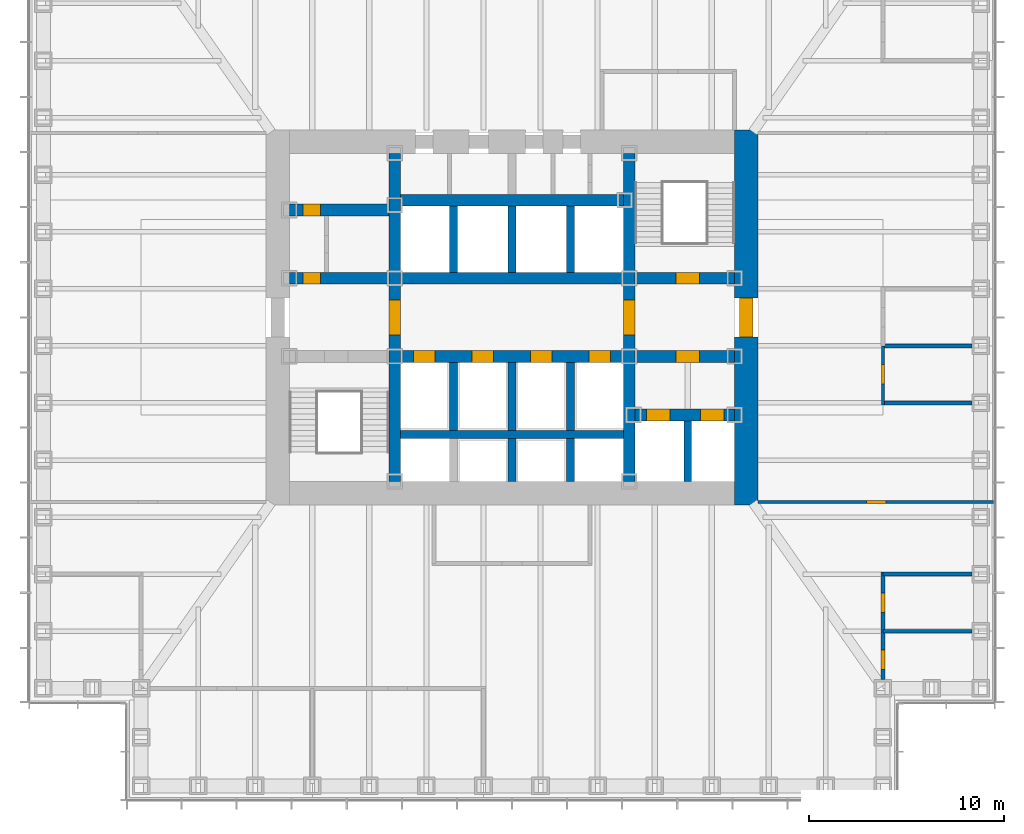
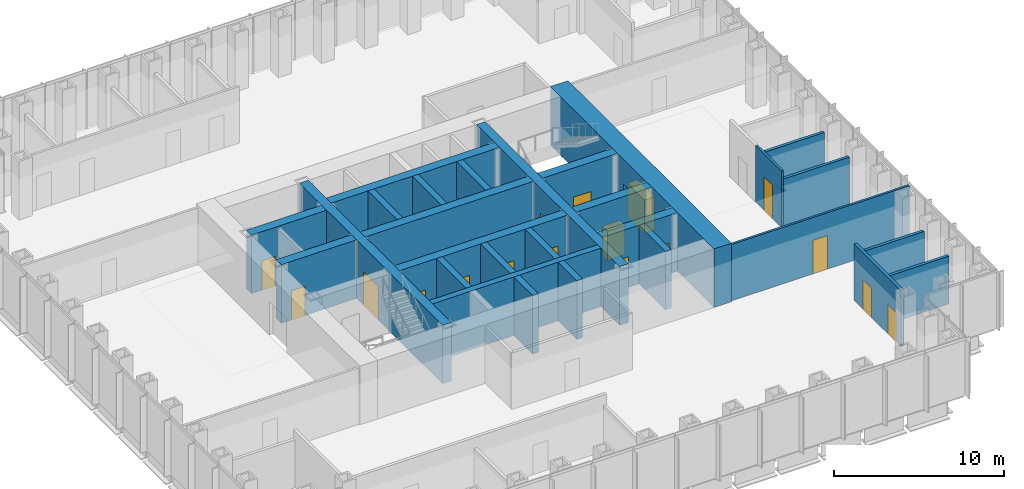
# One storey, part 9 of 16: 28 walls, 17 doors, 17 openings.
"""IFC4 building model written with IfcOpenShell, lengths in metres."""

from ifc_helpers import new_model, si_unit, direction, frame, frame_2d, origin, place, context, subcontext, project, spatial, rectangle, extrude, material, layer, layer_set, type_object, element, fill, save


model = new_model("IFC4")

# Units and contexts
model_context = context("Model", 3, precision=1e-05, world=origin(), true_north=direction((0.0, 1.0)))
body_context = subcontext(model_context, "Body", "Model", "MODEL_VIEW")
ifc_project = project(units=[si_unit("LENGTHUNIT", "METRE"), si_unit("AREAUNIT", "SQUARE_METRE"), si_unit("VOLUMEUNIT", "CUBIC_METRE"), si_unit("PLANEANGLEUNIT", "RADIAN"), si_unit("MASSUNIT", "GRAM", prefix="KILO")], contexts=[model_context])

# Site, building, storey
site_placement = place(None, origin())
site = spatial("IfcSite", under=ifc_project, at=site_placement, CompositionType="ELEMENT")
building_placement = place(site_placement, origin())
building = spatial("IfcBuilding", under=site, at=building_placement, Name="Daluyong Arena Tower", CompositionType="ELEMENT")
storey_placement = place(building_placement, frame((0.0, 0.0, 64.300048828125)))
storey = spatial("IfcBuildingStorey", under=building, at=storey_placement, Name="L13", CompositionType="ELEMENT", Elevation=64.300048828125)

# Wall, opening, door
ifc_material_1 = material(Name="Concrete fc' 60 MPa", Category="concrete")
ifc_layer_1 = layer(ifc_material_1, 0.60009765625)
ifc_layer_set_1 = layer_set([ifc_layer_1], Name="Concrete fc' 60 MPa")
wall_type_1 = type_object("IfcWallType", Name="Core inner wall 600", PredefinedType="SHEAR", material=ifc_layer_set_1)
wall_1_placement = place(storey_placement, frame((50.0, 71.60009765625, 0.0), z_axis=(0.0, 0.0, 1.0), x_axis=(0.0, 1.0, 0.0)))
wall_1 = element("IfcWall", 1, at=wall_1_placement, inside=storey, type_object=wall_type_1, Name="core inner wall at L13", PredefinedType="SHEAR", context=body_context, shape_type="SweptSolid", body=[
    extrude(rectangle(XDim=16.7998046875, YDim=0.60009765625, at=frame_2d((8.39990234375, 0.0))), origin(), (0.0, 0.0, 1.0), 4.199951171875),
])
opening_1_placement = place(wall_1_placement, frame((7.5, 0.0, 0.0)))
opening_1 = element("IfcOpeningElement", 2, at=opening_1_placement, cuts=wall_1, Name="Opening 13013", PredefinedType="OPENING", context=body_context, shape_type="SweptSolid", body=[
    extrude(rectangle(XDim=1.800048828125, YDim=2.39990234375, at=frame_2d((0.89990234375, 1.199951171875))), frame((0.0, 0.31005859375, 0.0), z_axis=(0.0, -1.0, 0.0), x_axis=(1.0, 0.0, 0.0)), (0.0, 0.0, 1.0), 0.6201171875),
])
ifc_material_2 = material(Name="Steel door, fire rated", Category="steel")
door_type_1 = type_object("IfcDoorType", Name="Lift lobby opening door 1800", OperationType="DOUBLE_DOOR_SINGLE_SWING", PredefinedType="DOOR", material=ifc_material_2)
door_1_placement = place(opening_1_placement, origin())
door_1 = element("IfcDoor", 3, at=door_1_placement, inside=storey, type_object=door_type_1, Name="lift lobby door west 13013", OperationType="DOUBLE_DOOR_SINGLE_SWING", OverallHeight=2.39990234375, OverallWidth=1.800048828125, PredefinedType="DOOR", context=body_context, shape_type="SweptSolid", body=[
    extrude(rectangle(XDim=1.800048828125, YDim=2.39990234375, at=frame_2d((0.89990234375, 1.199951171875))), frame((0.0, 0.2998046875, 0.0), z_axis=(0.0, -1.0, 0.0), x_axis=(1.0, 0.0, 0.0)), (0.0, 0.0, 1.0), 0.599609375),
])
fill(opening_1, door_1)

wall_2_placement = place(storey_placement, frame((62.0, 71.60009765625, 0.0), z_axis=(0.0, 0.0, 1.0), x_axis=(0.0, 1.0, 0.0)))
wall_2 = element("IfcWall", 4, at=wall_2_placement, inside=storey, type_object=wall_type_1, Name="core inner wall at L13", PredefinedType="SHEAR", context=body_context, shape_type="SweptSolid", body=[
    extrude(rectangle(XDim=16.7998046875, YDim=0.60009765625, at=frame_2d((8.39990234375, 0.0))), origin(), (0.0, 0.0, 1.0), 4.199951171875),
])
opening_2_placement = place(wall_2_placement, frame((7.5, 0.0, 0.0)))
opening_2 = element("IfcOpeningElement", 5, at=opening_2_placement, cuts=wall_2, Name="Opening 13014", PredefinedType="OPENING", context=body_context, shape_type="SweptSolid", body=[
    extrude(rectangle(XDim=1.800048828125, YDim=2.39990234375, at=frame_2d((0.89990234375, 1.199951171875))), frame((0.0, 0.31005859375, 0.0), z_axis=(0.0, -1.0, 0.0), x_axis=(1.0, 0.0, 0.0)), (0.0, 0.0, 1.0), 0.6201171875),
])
door_2_placement = place(opening_2_placement, origin())
door_2 = element("IfcDoor", 6, at=door_2_placement, inside=storey, type_object=door_type_1, Name="lift lobby door east 13014", OperationType="DOUBLE_DOOR_SINGLE_SWING", OverallHeight=2.39990234375, OverallWidth=1.800048828125, PredefinedType="DOOR", context=body_context, shape_type="SweptSolid", body=[
    extrude(rectangle(XDim=1.800048828125, YDim=2.39990234375, at=frame_2d((0.89990234375, 1.199951171875))), frame((0.0, 0.2998046875, 0.0), z_axis=(0.0, -1.0, 0.0), x_axis=(1.0, 0.0, 0.0)), (0.0, 0.0, 1.0), 0.599609375),
])
fill(opening_2, door_2)

wall_3_placement = place(storey_placement, frame((44.60009765625, 82.0, 0.0), z_axis=(0.0, 0.0, 1.0), x_axis=(1.0, 0.0, 0.0)))
wall_3 = element("IfcWall", 7, at=wall_3_placement, inside=storey, type_object=wall_type_1, Name="core inner wall at L13", PredefinedType="SHEAR", context=body_context, shape_type="SweptSolid", body=[
    extrude(rectangle(XDim=5.099853515625, YDim=0.60009765625, at=frame_2d((2.5498046875, 0.0))), origin(), (0.0, 0.0, 1.0), 4.199951171875),
])
opening_3_placement = place(wall_3_placement, frame((0.699951171875, 0.0, 0.0)))
opening_3 = element("IfcOpeningElement", 8, at=opening_3_placement, cuts=wall_3, Name="Opening 13001", PredefinedType="OPENING", context=body_context, shape_type="SweptSolid", body=[
    extrude(rectangle(XDim=0.89990234375, YDim=2.10009765625, at=frame_2d((0.449951171875, 1.050048828125))), frame((0.0, 0.31005859375, 0.0), z_axis=(0.0, -1.0, 0.0), x_axis=(1.0, 0.0, 0.0)), (0.0, 0.0, 1.0), 0.6201171875),
])
ifc_material_3 = material(Name="Steel door, fire rated", Category="steel")
door_type_2 = type_object("IfcDoorType", Name="Core room door 900", OperationType="SINGLE_SWING_LEFT", PredefinedType="DOOR", material=ifc_material_3)
door_3_placement = place(opening_3_placement, origin())
door_3 = element("IfcDoor", 9, at=door_3_placement, inside=storey, type_object=door_type_2, Name="toilet lobby door 13001", OperationType="SINGLE_SWING_LEFT", OverallHeight=2.10009765625, OverallWidth=0.89990234375, PredefinedType="DOOR", context=body_context, shape_type="SweptSolid", body=[
    extrude(rectangle(XDim=0.89990234375, YDim=2.10009765625, at=frame_2d((0.449951171875, 1.050048828125))), frame((0.0, 0.2998046875, 0.0), z_axis=(0.0, -1.0, 0.0), x_axis=(1.0, 0.0, 0.0)), (0.0, 0.0, 1.0), 0.599609375),
])
fill(opening_3, door_3)

wall_4_placement = place(storey_placement, frame((44.60009765625, 85.5, 0.0), z_axis=(0.0, 0.0, 1.0), x_axis=(1.0, 0.0, 0.0)))
wall_4 = element("IfcWall", 10, at=wall_4_placement, inside=storey, type_object=wall_type_1, Name="core inner wall at L13", PredefinedType="SHEAR", context=body_context, shape_type="SweptSolid", body=[
    extrude(rectangle(XDim=5.099853515625, YDim=0.60009765625, at=frame_2d((2.5498046875, 0.0))), origin(), (0.0, 0.0, 1.0), 4.199951171875),
])
opening_4_placement = place(wall_4_placement, frame((0.699951171875, 0.0, 0.0)))
opening_4 = element("IfcOpeningElement", 11, at=opening_4_placement, cuts=wall_4, Name="Opening 13003", PredefinedType="OPENING", context=body_context, shape_type="SweptSolid", body=[
    extrude(rectangle(XDim=0.89990234375, YDim=2.10009765625, at=frame_2d((0.449951171875, 1.050048828125))), frame((0.0, 0.31005859375, 0.0), z_axis=(0.0, -1.0, 0.0), x_axis=(1.0, 0.0, 0.0)), (0.0, 0.0, 1.0), 0.6201171875),
])
ifc_material_4 = material(Name="Timber door", Category="wood")
door_type_3 = type_object("IfcDoorType", Name="Toilet door 900", OperationType="SINGLE_SWING_RIGHT", PredefinedType="DOOR", material=ifc_material_4)
door_4_placement = place(opening_4_placement, origin())
door_4 = element("IfcDoor", 12, at=door_4_placement, inside=storey, type_object=door_type_3, Name="female toilet door 13003", OperationType="SINGLE_SWING_RIGHT", OverallHeight=2.10009765625, OverallWidth=0.89990234375, PredefinedType="DOOR", context=body_context, shape_type="SweptSolid", body=[
    extrude(rectangle(XDim=0.89990234375, YDim=2.10009765625, at=frame_2d((0.449951171875, 1.050048828125))), frame((0.0, 0.2998046875, 0.0), z_axis=(0.0, -1.0, 0.0), x_axis=(1.0, 0.0, 0.0)), (0.0, 0.0, 1.0), 0.599609375),
])
fill(opening_4, door_4)

# Wall, openings, doors
wall_5_placement = place(storey_placement, frame((62.300048828125, 75.0, 0.0), z_axis=(0.0, 0.0, 1.0), x_axis=(1.0, 0.0, 0.0)))
wall_5 = element("IfcWall", 13, at=wall_5_placement, inside=storey, type_object=wall_type_1, Name="core inner wall at L13", PredefinedType="SHEAR", context=body_context, shape_type="SweptSolid", body=[
    extrude(rectangle(XDim=5.099853515625, YDim=0.60009765625, at=frame_2d((2.5498046875, 0.0))), origin(), (0.0, 0.0, 1.0), 4.199951171875),
])
opening_5_placement = place(wall_5_placement, frame((0.60009765625, 0.0, 0.0)))
opening_5 = element("IfcOpeningElement", 14, at=opening_5_placement, cuts=wall_5, Name="Opening 13020", PredefinedType="OPENING", context=body_context, shape_type="SweptSolid", body=[
    extrude(rectangle(XDim=1.199951171875, YDim=2.199951171875, at=frame_2d((0.60009765625, 1.10009765625))), frame((0.0, 0.31005859375, 0.0), z_axis=(0.0, -1.0, 0.0), x_axis=(1.0, 0.0, 0.0)), (0.0, 0.0, 1.0), 0.6201171875),
])
opening_6_placement = place(wall_5_placement, frame((3.35009765625, 0.0, 0.0)))
opening_6 = element("IfcOpeningElement", 15, at=opening_6_placement, cuts=wall_5, Name="Opening 13021", PredefinedType="OPENING", context=body_context, shape_type="SweptSolid", body=[
    extrude(rectangle(XDim=1.199951171875, YDim=2.199951171875, at=frame_2d((0.60009765625, 1.10009765625))), frame((0.0, 0.31005859375, 0.0), z_axis=(0.0, -1.0, 0.0), x_axis=(1.0, 0.0, 0.0)), (0.0, 0.0, 1.0), 0.6201171875),
])
ifc_material_5 = material(Name="Steel door, fire rated", Category="steel")
door_type_4 = type_object("IfcDoorType", Name="Firefighting lift landing door 1200", OperationType="SLIDING_TO_LEFT", PredefinedType="DOOR", material=ifc_material_5)
door_5_placement = place(opening_5_placement, origin())
door_5 = element("IfcDoor", 16, at=door_5_placement, inside=storey, type_object=door_type_4, Name="firefighting lift landing door F1 13020", OperationType="SLIDING_TO_LEFT", OverallHeight=2.199951171875, OverallWidth=1.199951171875, PredefinedType="DOOR", context=body_context, shape_type="SweptSolid", body=[
    extrude(rectangle(XDim=1.199951171875, YDim=2.199951171875, at=frame_2d((0.60009765625, 1.10009765625))), frame((0.0, 0.2998046875, 0.0), z_axis=(0.0, -1.0, 0.0), x_axis=(1.0, 0.0, 0.0)), (0.0, 0.0, 1.0), 0.599609375),
])
fill(opening_5, door_5)
door_6_placement = place(opening_6_placement, origin())
door_6 = element("IfcDoor", 17, at=door_6_placement, inside=storey, type_object=door_type_4, Name="firefighting lift landing door F2 13021", OperationType="SLIDING_TO_LEFT", OverallHeight=2.199951171875, OverallWidth=1.199951171875, PredefinedType="DOOR", context=body_context, shape_type="SweptSolid", body=[
    extrude(rectangle(XDim=1.199951171875, YDim=2.199951171875, at=frame_2d((0.60009765625, 1.10009765625))), frame((0.0, 0.2998046875, 0.0), z_axis=(0.0, -1.0, 0.0), x_axis=(1.0, 0.0, 0.0)), (0.0, 0.0, 1.0), 0.599609375),
])
fill(opening_6, door_6)

# Wall, opening, door
wall_6_placement = place(storey_placement, frame((62.300048828125, 78.0, 0.0), z_axis=(0.0, 0.0, 1.0), x_axis=(1.0, 0.0, 0.0)))
wall_6 = element("IfcWall", 18, at=wall_6_placement, inside=storey, type_object=wall_type_1, Name="core inner wall at L13", PredefinedType="SHEAR", context=body_context, shape_type="SweptSolid", body=[
    extrude(rectangle(XDim=5.099853515625, YDim=0.60009765625, at=frame_2d((2.5498046875, 0.0))), origin(), (0.0, 0.0, 1.0), 4.199951171875),
])
opening_7_placement = place(wall_6_placement, frame((2.10009765625, 0.0, 0.0)))
opening_7 = element("IfcOpeningElement", 19, at=opening_7_placement, cuts=wall_6, Name="Opening 13015", PredefinedType="OPENING", context=body_context, shape_type="SweptSolid", body=[
    extrude(rectangle(XDim=1.199951171875, YDim=2.10009765625, at=frame_2d((0.60009765625, 1.050048828125))), frame((0.0, 0.31005859375, 0.0), z_axis=(0.0, -1.0, 0.0), x_axis=(1.0, 0.0, 0.0)), (0.0, 0.0, 1.0), 0.6201171875),
])
ifc_material_6 = material(Name="Steel door, fire rated", Category="steel")
door_type_5 = type_object("IfcDoorType", Name="Firefighting lobby door 1200", OperationType="SINGLE_SWING_RIGHT", PredefinedType="DOOR", material=ifc_material_6)
door_7_placement = place(opening_7_placement, origin())
door_7 = element("IfcDoor", 20, at=door_7_placement, inside=storey, type_object=door_type_5, Name="firefighting lobby door 13015", OperationType="SINGLE_SWING_RIGHT", OverallHeight=2.10009765625, OverallWidth=1.199951171875, PredefinedType="DOOR", context=body_context, shape_type="SweptSolid", body=[
    extrude(rectangle(XDim=1.199951171875, YDim=2.10009765625, at=frame_2d((0.60009765625, 1.050048828125))), frame((0.0, 0.2998046875, 0.0), z_axis=(0.0, -1.0, 0.0), x_axis=(1.0, 0.0, 0.0)), (0.0, 0.0, 1.0), 0.599609375),
])
fill(opening_7, door_7)

wall_7_placement = place(storey_placement, frame((62.300048828125, 82.0, 0.0), z_axis=(0.0, 0.0, 1.0), x_axis=(1.0, 0.0, 0.0)))
wall_7 = element("IfcWall", 21, at=wall_7_placement, inside=storey, type_object=wall_type_1, Name="core inner wall at L13", PredefinedType="SHEAR", context=body_context, shape_type="SweptSolid", body=[
    extrude(rectangle(XDim=5.099853515625, YDim=0.60009765625, at=frame_2d((2.5498046875, 0.0))), origin(), (0.0, 0.0, 1.0), 4.199951171875),
])
opening_8_placement = place(wall_7_placement, frame((2.10009765625, 0.0, 0.0)))
opening_8 = element("IfcOpeningElement", 22, at=opening_8_placement, cuts=wall_7, Name="Opening 13010", PredefinedType="OPENING", context=body_context, shape_type="SweptSolid", body=[
    extrude(rectangle(XDim=1.199951171875, YDim=2.10009765625, at=frame_2d((0.60009765625, 1.050048828125))), frame((0.0, 0.31005859375, 0.0), z_axis=(0.0, -1.0, 0.0), x_axis=(1.0, 0.0, 0.0)), (0.0, 0.0, 1.0), 0.6201171875),
])
ifc_material_7 = material(Name="Steel door, fire rated", Category="steel")
door_type_6 = type_object("IfcDoorType", Name="Stair door 1200", OperationType="SINGLE_SWING_LEFT", PredefinedType="DOOR", material=ifc_material_7)
door_8_placement = place(opening_8_placement, origin())
door_8 = element("IfcDoor", 23, at=door_8_placement, inside=storey, type_object=door_type_6, Name="stair B door 13010", OperationType="SINGLE_SWING_LEFT", OverallHeight=2.10009765625, OverallWidth=1.199951171875, PredefinedType="DOOR", context=body_context, shape_type="SweptSolid", body=[
    extrude(rectangle(XDim=1.199951171875, YDim=2.10009765625, at=frame_2d((0.60009765625, 1.050048828125))), frame((0.0, 0.2998046875, 0.0), z_axis=(0.0, -1.0, 0.0), x_axis=(1.0, 0.0, 0.0)), (0.0, 0.0, 1.0), 0.599609375),
])
fill(opening_8, door_8)

# Wall, openings, doors
wall_8_placement = place(storey_placement, frame((50.300048828125, 78.0, 0.0), z_axis=(0.0, 0.0, 1.0), x_axis=(1.0, 0.0, 0.0)))
wall_8 = element("IfcWall", 24, at=wall_8_placement, inside=storey, type_object=wall_type_1, Name="core inner wall at L13", PredefinedType="SHEAR", context=body_context, shape_type="SweptSolid", body=[
    extrude(rectangle(XDim=11.39990234375, YDim=0.60009765625, at=frame_2d((5.699951171875, 0.0))), origin(), (0.0, 0.0, 1.0), 4.199951171875),
])
opening_9_placement = place(wall_8_placement, frame((0.64990234375, 0.0, 0.0)))
opening_9 = element("IfcOpeningElement", 25, at=opening_9_placement, cuts=wall_8, Name="Opening 13016", PredefinedType="OPENING", context=body_context, shape_type="SweptSolid", body=[
    extrude(rectangle(XDim=1.10009765625, YDim=2.199951171875, at=frame_2d((0.550048828125, 1.10009765625))), frame((0.0, 0.31005859375, 0.0), z_axis=(0.0, -1.0, 0.0), x_axis=(1.0, 0.0, 0.0)), (0.0, 0.0, 1.0), 0.6201171875),
])
opening_10_placement = place(wall_8_placement, frame((3.64990234375, 0.0, 0.0)))
opening_10 = element("IfcOpeningElement", 26, at=opening_10_placement, cuts=wall_8, Name="Opening 13017", PredefinedType="OPENING", context=body_context, shape_type="SweptSolid", body=[
    extrude(rectangle(XDim=1.10009765625, YDim=2.199951171875, at=frame_2d((0.550048828125, 1.10009765625))), frame((0.0, 0.31005859375, 0.0), z_axis=(0.0, -1.0, 0.0), x_axis=(1.0, 0.0, 0.0)), (0.0, 0.0, 1.0), 0.6201171875),
])
opening_11_placement = place(wall_8_placement, frame((6.64990234375, 0.0, 0.0)))
opening_11 = element("IfcOpeningElement", 27, at=opening_11_placement, cuts=wall_8, Name="Opening 13018", PredefinedType="OPENING", context=body_context, shape_type="SweptSolid", body=[
    extrude(rectangle(XDim=1.10009765625, YDim=2.199951171875, at=frame_2d((0.550048828125, 1.10009765625))), frame((0.0, 0.31005859375, 0.0), z_axis=(0.0, -1.0, 0.0), x_axis=(1.0, 0.0, 0.0)), (0.0, 0.0, 1.0), 0.6201171875),
])
opening_12_placement = place(wall_8_placement, frame((9.64990234375, 0.0, 0.0)))
opening_12 = element("IfcOpeningElement", 28, at=opening_12_placement, cuts=wall_8, Name="Opening 13019", PredefinedType="OPENING", context=body_context, shape_type="SweptSolid", body=[
    extrude(rectangle(XDim=1.10009765625, YDim=2.199951171875, at=frame_2d((0.550048828125, 1.10009765625))), frame((0.0, 0.31005859375, 0.0), z_axis=(0.0, -1.0, 0.0), x_axis=(1.0, 0.0, 0.0)), (0.0, 0.0, 1.0), 0.6201171875),
])
ifc_material_8 = material(Name="Steel door, fire rated", Category="steel")
door_type_7 = type_object("IfcDoorType", Name="Lift landing door 1100", OperationType="SLIDING_TO_LEFT", PredefinedType="DOOR", material=ifc_material_8)
door_9_placement = place(opening_9_placement, origin())
door_9 = element("IfcDoor", 29, at=door_9_placement, inside=storey, type_object=door_type_7, Name="lift landing door A1 13016", OperationType="SLIDING_TO_LEFT", OverallHeight=2.199951171875, OverallWidth=1.10009765625, PredefinedType="DOOR", context=body_context, shape_type="SweptSolid", body=[
    extrude(rectangle(XDim=1.10009765625, YDim=2.199951171875, at=frame_2d((0.550048828125, 1.10009765625))), frame((0.0, 0.2998046875, 0.0), z_axis=(0.0, -1.0, 0.0), x_axis=(1.0, 0.0, 0.0)), (0.0, 0.0, 1.0), 0.599609375),
])
fill(opening_9, door_9)
door_10_placement = place(opening_10_placement, origin())
door_10 = element("IfcDoor", 30, at=door_10_placement, inside=storey, type_object=door_type_7, Name="lift landing door A2 13017", OperationType="SLIDING_TO_LEFT", OverallHeight=2.199951171875, OverallWidth=1.10009765625, PredefinedType="DOOR", context=body_context, shape_type="SweptSolid", body=[
    extrude(rectangle(XDim=1.10009765625, YDim=2.199951171875, at=frame_2d((0.550048828125, 1.10009765625))), frame((0.0, 0.2998046875, 0.0), z_axis=(0.0, -1.0, 0.0), x_axis=(1.0, 0.0, 0.0)), (0.0, 0.0, 1.0), 0.599609375),
])
fill(opening_10, door_10)
door_11_placement = place(opening_11_placement, origin())
door_11 = element("IfcDoor", 31, at=door_11_placement, inside=storey, type_object=door_type_7, Name="lift landing door A3 13018", OperationType="SLIDING_TO_LEFT", OverallHeight=2.199951171875, OverallWidth=1.10009765625, PredefinedType="DOOR", context=body_context, shape_type="SweptSolid", body=[
    extrude(rectangle(XDim=1.10009765625, YDim=2.199951171875, at=frame_2d((0.550048828125, 1.10009765625))), frame((0.0, 0.2998046875, 0.0), z_axis=(0.0, -1.0, 0.0), x_axis=(1.0, 0.0, 0.0)), (0.0, 0.0, 1.0), 0.599609375),
])
fill(opening_11, door_11)
door_12_placement = place(opening_12_placement, origin())
door_12 = element("IfcDoor", 32, at=door_12_placement, inside=storey, type_object=door_type_7, Name="lift landing door A4 13019", OperationType="SLIDING_TO_LEFT", OverallHeight=2.199951171875, OverallWidth=1.10009765625, PredefinedType="DOOR", context=body_context, shape_type="SweptSolid", body=[
    extrude(rectangle(XDim=1.10009765625, YDim=2.199951171875, at=frame_2d((0.550048828125, 1.10009765625))), frame((0.0, 0.2998046875, 0.0), z_axis=(0.0, -1.0, 0.0), x_axis=(1.0, 0.0, 0.0)), (0.0, 0.0, 1.0), 0.599609375),
])
fill(opening_12, door_12)

# Walls
for number, where, z_axis, x_axis, name in (
    (33, (50.300048828125, 82.0, 0.0), (0.0, 0.0, 1.0), (1.0, 0.0, 0.0), "core inner wall at L13"),
    (34, (50.300048828125, 86.0, 0.0), (0.0, 0.0, 1.0), (1.0, 0.0, 0.0), "core inner wall at L13"),
):
    element("IfcWall", number, at=place(storey_placement, frame(where, z_axis=z_axis, x_axis=x_axis)), inside=storey, type_object=wall_type_1, Name=name, PredefinedType="SHEAR", context=body_context, shape_type="SweptSolid", body=[
        extrude(rectangle(XDim=11.39990234375, YDim=0.60009765625, at=frame_2d((5.699951171875, 0.0))), origin(), (0.0, 0.0, 1.0), 4.199951171875),
    ])

# Wall, opening, door
ifc_material_9 = material(Name="Concrete fc' 60 MPa", Category="concrete")
ifc_layer_2 = layer(ifc_material_9, 1.199951171875)
ifc_layer_set_2 = layer_set([ifc_layer_2], Name="Concrete fc' 60 MPa")
wall_type_2 = type_object("IfcWallType", Name="Core wall 1200", PredefinedType="SHEAR", material=ifc_layer_set_2)
wall_9_placement = place(storey_placement, frame((68.0, 70.39990234375, 0.0), z_axis=(0.0, 0.0, 1.0), x_axis=(0.0, 1.0, 0.0)))
wall_9 = element("IfcWall", 35, at=wall_9_placement, inside=storey, type_object=wall_type_2, Name="core wall at L13", PredefinedType="SHEAR", context=body_context, shape_type="SweptSolid", body=[
    extrude(rectangle(XDim=19.2001953125, YDim=1.199951171875, at=frame_2d((9.60009765625, 0.0))), origin(), (0.0, 0.0, 1.0), 4.199951171875),
])
opening_13_placement = place(wall_9_placement, frame((8.60009765625, 0.0, 0.0)))
opening_13 = element("IfcOpeningElement", 36, at=opening_13_placement, cuts=wall_9, Name="Opening 13012", PredefinedType="OPENING", context=body_context, shape_type="SweptSolid", body=[
    extrude(rectangle(XDim=2.0, YDim=2.39990234375, at=frame_2d((1.0, 1.199951171875))), frame((0.0, 0.60986328125, 0.0), z_axis=(0.0, -1.0, 0.0), x_axis=(1.0, 0.0, 0.0)), (0.0, 0.0, 1.0), 1.219970703125),
])
ifc_material_10 = material(Name="Steel door, fire rated", Category="steel")
door_type_8 = type_object("IfcDoorType", Name="Core lobby double door 2000", OperationType="DOUBLE_DOOR_SINGLE_SWING", PredefinedType="DOOR", material=ifc_material_10)
door_13_placement = place(opening_13_placement, origin())
door_13 = element("IfcDoor", 37, at=door_13_placement, inside=storey, type_object=door_type_8, Name="core lobby door east 13012", OperationType="DOUBLE_DOOR_SINGLE_SWING", OverallHeight=2.39990234375, OverallWidth=2.0, PredefinedType="DOOR", context=body_context, shape_type="SweptSolid", body=[
    extrude(rectangle(XDim=2.0, YDim=2.39990234375, at=frame_2d((1.0, 1.199951171875))), frame((0.0, 0.35009765625, 0.0), z_axis=(0.0, -1.0, 0.0), x_axis=(1.0, 0.0, 0.0)), (0.0, 0.0, 1.0), 0.699951171875),
])
fill(opening_13, door_13)

ifc_material_11 = material(Name="Glazed aluminium partition", Category="aluminium")
ifc_layer_3 = layer(ifc_material_11, 0.14990234375)
ifc_layer_set_3 = layer_set([ifc_layer_3], Name="Glazed aluminium partition")
wall_type_3 = type_object("IfcWallType", Name="Glazed partition 150", PredefinedType="PARTITIONING", material=ifc_layer_set_3)
wall_10_placement = place(storey_placement, frame((68.60009765625, 70.550048828125, 0.0), z_axis=(0.0, 0.0, 1.0), x_axis=(1.0, 0.0, 0.0)))
wall_10 = element("IfcWall", 38, at=wall_10_placement, inside=storey, type_object=wall_type_3, Name="glazed partition at L13", PredefinedType="PARTITIONING", context=body_context, shape_type="SweptSolid", body=[
    extrude(rectangle(XDim=12.08984375, YDim=0.14990234375, at=frame_2d((6.044921875, 0.0))), origin(), (0.0, 0.0, 1.0), 4.0400390625),
])
opening_14_placement = place(wall_10_placement, frame((5.544921875, 0.0, 0.0)))
opening_14 = element("IfcOpeningElement", 39, at=opening_14_placement, cuts=wall_10, Name="Opening 13039", PredefinedType="OPENING", context=body_context, shape_type="SweptSolid", body=[
    extrude(rectangle(XDim=1.0, YDim=2.39990234375, at=frame_2d((0.5, 1.199951171875))), frame((0.0, 0.0849609375, 0.0), z_axis=(0.0, -1.0, 0.0), x_axis=(1.0, 0.0, 0.0)), (0.0, 0.0, 1.0), 0.169921875),
])
ifc_material_12 = material(Name="Glazed aluminium door", Category="aluminium")
door_type_9 = type_object("IfcDoorType", Name="Meeting room glazed door 1000", OperationType="SINGLE_SWING_RIGHT", PredefinedType="DOOR", material=ifc_material_12)
door_14_placement = place(opening_14_placement, origin())
door_14 = element("IfcDoor", 40, at=door_14_placement, inside=storey, type_object=door_type_9, Name="team area screen door 13039", OperationType="SINGLE_SWING_RIGHT", OverallHeight=2.39990234375, OverallWidth=1.0, PredefinedType="DOOR", context=body_context, shape_type="SweptSolid", body=[
    extrude(rectangle(XDim=1.0, YDim=2.39990234375, at=frame_2d((0.5, 1.199951171875))), frame((0.0, 0.07470703125, 0.0), z_axis=(0.0, -1.0, 0.0), x_axis=(1.0, 0.0, 0.0)), (0.0, 0.0, 1.0), 0.1494140625),
])
fill(opening_14, door_14)

wall_11_placement = place(storey_placement, frame((75.0, 75.515380859375, 0.0), z_axis=(0.0, 0.0, 1.0), x_axis=(0.0, 1.0, 0.0)))
wall_11 = element("IfcWall", 41, at=wall_11_placement, inside=storey, type_object=wall_type_3, Name="glazed partition at L13", PredefinedType="PARTITIONING", context=body_context, shape_type="SweptSolid", body=[
    extrude(rectangle(XDim=3.023193359375, YDim=0.14990234375, at=frame_2d((1.51171875, 0.0))), origin(), (0.0, 0.0, 1.0), 4.0400390625),
])
opening_15_placement = place(wall_11_placement, frame((1.0615234375, 0.0, 0.0)))
opening_15 = element("IfcOpeningElement", 42, at=opening_15_placement, cuts=wall_11, Name="Opening 13026", PredefinedType="OPENING", context=body_context, shape_type="SweptSolid", body=[
    extrude(rectangle(XDim=1.0, YDim=2.39990234375, at=frame_2d((0.5, 1.199951171875))), frame((0.0, 0.0849609375, 0.0), z_axis=(0.0, -1.0, 0.0), x_axis=(1.0, 0.0, 0.0)), (0.0, 0.0, 1.0), 0.169921875),
])
door_15_placement = place(opening_15_placement, origin())
door_15 = element("IfcDoor", 43, at=door_15_placement, inside=storey, type_object=door_type_9, Name="focus room door 13026", OperationType="SINGLE_SWING_RIGHT", OverallHeight=2.39990234375, OverallWidth=1.0, PredefinedType="DOOR", context=body_context, shape_type="SweptSolid", body=[
    extrude(rectangle(XDim=1.0, YDim=2.39990234375, at=frame_2d((0.5, 1.199951171875))), frame((0.0, 0.07470703125, 0.0), z_axis=(0.0, -1.0, 0.0), x_axis=(1.0, 0.0, 0.0)), (0.0, 0.0, 1.0), 0.1494140625),
])
fill(opening_15, door_15)

# Walls
ifc_material_13 = material(Name="Concrete fc' 45 MPa", Category="concrete")
ifc_layer_4 = layer(ifc_material_13, 0.39990234375)
ifc_layer_set_4 = layer_set([ifc_layer_4], Name="Concrete fc' 45 MPa")
wall_type_4 = type_object("IfcWallType", Name="Lift shaft wall 400", PredefinedType="SHEAR", material=ifc_layer_set_4)
wall_12_placement = place(storey_placement, frame((50.300048828125, 74.0, 0.0), z_axis=(0.0, 0.0, 1.0), x_axis=(1.0, 0.0, 0.0)))
element("IfcWall", 44, at=wall_12_placement, inside=storey, type_object=wall_type_4, Name="lift shaft wall at L13", PredefinedType="SHEAR", context=body_context, shape_type="SweptSolid", body=[
    extrude(rectangle(XDim=11.39990234375, YDim=0.39990234375, at=frame_2d((5.699951171875, 0.0))), origin(), (0.0, 0.0, 1.0), 4.199951171875),
])
wall_13_placement = place(storey_placement, frame((53.0, 74.199951171875, 0.0), z_axis=(0.0, 0.0, 1.0), x_axis=(0.0, 1.0, 0.0)))
element("IfcWall", 45, at=wall_13_placement, inside=storey, type_object=wall_type_4, Name="lift shaft wall at L13", PredefinedType="SHEAR", context=body_context, shape_type="SweptSolid", body=[
    extrude(rectangle(XDim=3.5, YDim=0.39990234375, at=frame_2d((1.75, 0.0))), origin(), (0.0, 0.0, 1.0), 4.199951171875),
])
wall_14_placement = place(storey_placement, frame((53.0, 82.300048828125, 0.0), z_axis=(0.0, 0.0, 1.0), x_axis=(0.0, 1.0, 0.0)))
element("IfcWall", 46, at=wall_14_placement, inside=storey, type_object=wall_type_4, Name="lift shaft wall at L13", PredefinedType="SHEAR", context=body_context, shape_type="SweptSolid", body=[
    extrude(rectangle(XDim=3.39990234375, YDim=0.39990234375, at=frame_2d((1.699951171875, 0.0))), origin(), (0.0, 0.0, 1.0), 4.199951171875),
])
wall_15_placement = place(storey_placement, frame((56.0, 71.60009765625, 0.0), z_axis=(0.0, 0.0, 1.0), x_axis=(0.0, 1.0, 0.0)))
element("IfcWall", 47, at=wall_15_placement, inside=storey, type_object=wall_type_4, Name="lift shaft wall at L13", PredefinedType="SHEAR", context=body_context, shape_type="SweptSolid", body=[
    extrude(rectangle(XDim=2.199951171875, YDim=0.39990234375, at=frame_2d((1.10009765625, 0.0))), origin(), (0.0, 0.0, 1.0), 4.199951171875),
])
wall_16_placement = place(storey_placement, frame((56.0, 74.199951171875, 0.0), z_axis=(0.0, 0.0, 1.0), x_axis=(0.0, 1.0, 0.0)))
element("IfcWall", 48, at=wall_16_placement, inside=storey, type_object=wall_type_4, Name="lift shaft wall at L13", PredefinedType="SHEAR", context=body_context, shape_type="SweptSolid", body=[
    extrude(rectangle(XDim=3.5, YDim=0.39990234375, at=frame_2d((1.75, 0.0))), origin(), (0.0, 0.0, 1.0), 4.199951171875),
])
wall_17_placement = place(storey_placement, frame((56.0, 82.300048828125, 0.0), z_axis=(0.0, 0.0, 1.0), x_axis=(0.0, 1.0, 0.0)))
element("IfcWall", 49, at=wall_17_placement, inside=storey, type_object=wall_type_4, Name="lift shaft wall at L13", PredefinedType="SHEAR", context=body_context, shape_type="SweptSolid", body=[
    extrude(rectangle(XDim=3.39990234375, YDim=0.39990234375, at=frame_2d((1.699951171875, 0.0))), origin(), (0.0, 0.0, 1.0), 4.199951171875),
])
wall_18_placement = place(storey_placement, frame((59.0, 71.60009765625, 0.0), z_axis=(0.0, 0.0, 1.0), x_axis=(0.0, 1.0, 0.0)))
element("IfcWall", 50, at=wall_18_placement, inside=storey, type_object=wall_type_4, Name="lift shaft wall at L13", PredefinedType="SHEAR", context=body_context, shape_type="SweptSolid", body=[
    extrude(rectangle(XDim=2.199951171875, YDim=0.39990234375, at=frame_2d((1.10009765625, 0.0))), origin(), (0.0, 0.0, 1.0), 4.199951171875),
])
wall_19_placement = place(storey_placement, frame((59.0, 74.199951171875, 0.0), z_axis=(0.0, 0.0, 1.0), x_axis=(0.0, 1.0, 0.0)))
element("IfcWall", 51, at=wall_19_placement, inside=storey, type_object=wall_type_4, Name="lift shaft wall at L13", PredefinedType="SHEAR", context=body_context, shape_type="SweptSolid", body=[
    extrude(rectangle(XDim=3.5, YDim=0.39990234375, at=frame_2d((1.75, 0.0))), origin(), (0.0, 0.0, 1.0), 4.199951171875),
])
wall_20_placement = place(storey_placement, frame((59.0, 82.300048828125, 0.0), z_axis=(0.0, 0.0, 1.0), x_axis=(0.0, 1.0, 0.0)))
element("IfcWall", 52, at=wall_20_placement, inside=storey, type_object=wall_type_4, Name="lift shaft wall at L13", PredefinedType="SHEAR", context=body_context, shape_type="SweptSolid", body=[
    extrude(rectangle(XDim=3.39990234375, YDim=0.39990234375, at=frame_2d((1.699951171875, 0.0))), origin(), (0.0, 0.0, 1.0), 4.199951171875),
])
wall_21_placement = place(storey_placement, frame((65.0, 71.60009765625, 0.0), z_axis=(0.0, 0.0, 1.0), x_axis=(0.0, 1.0, 0.0)))
element("IfcWall", 53, at=wall_21_placement, inside=storey, type_object=wall_type_4, Name="lift shaft wall at L13", PredefinedType="SHEAR", context=body_context, shape_type="SweptSolid", body=[
    extrude(rectangle(XDim=3.099853515625, YDim=0.39990234375, at=frame_2d((1.5498046875, 0.0))), origin(), (0.0, 0.0, 1.0), 4.199951171875),
])
ifc_material_14 = material(Name="Concrete block partition", Category="concrete")
ifc_layer_5 = layer(ifc_material_14, 0.199951171875)
ifc_layer_set_5 = layer_set([ifc_layer_5], Name="Concrete block partition")
wall_type_5 = type_object("IfcWallType", Name="Partition 200", PredefinedType="PARTITIONING", material=ifc_layer_set_5)
for number, where, z_axis, x_axis, name in (
    (54, (75.0, 63.923095703125, 0.0), (0.0, 0.0, 1.0), (1.0, 0.0, 0.0), "partition at L13"),
    (55, (75.0, 66.84619140625, 0.0), (0.0, 0.0, 1.0), (1.0, 0.0, 0.0), "partition at L13"),
    (56, (75.0, 75.615478515625, 0.0), (0.0, 0.0, 1.0), (1.0, 0.0, 0.0), "partition at L13"),
    (57, (75.0, 78.53857421875, 0.0), (0.0, 0.0, 1.0), (1.0, 0.0, 0.0), "partition at L13"),
):
    element("IfcWall", number, at=place(storey_placement, frame(where, z_axis=z_axis, x_axis=x_axis)), inside=storey, type_object=wall_type_5, Name=name, PredefinedType="PARTITIONING", context=body_context, shape_type="SweptSolid", body=[
        extrude(rectangle(XDim=4.550048828125, YDim=0.199951171875, at=frame_2d((2.27490234375, 0.0))), origin(), (0.0, 0.0, 1.0), 3.427734375),
    ])

# Wall, openings, doors
wall_22_placement = place(storey_placement, frame((75.0, 61.449951171875, 0.0), z_axis=(0.0, 0.0, 1.0), x_axis=(0.0, 1.0, 0.0)))
wall_22 = element("IfcWall", 58, at=wall_22_placement, inside=storey, type_object=wall_type_5, Name="partition at L13", PredefinedType="PARTITIONING", context=body_context, shape_type="SweptSolid", body=[
    extrude(rectangle(XDim=5.49609375, YDim=0.199951171875, at=frame_2d((2.748046875, 0.0))), origin(), (0.0, 0.0, 1.0), 4.0400390625),
])
opening_16_placement = place(wall_22_placement, frame((0.511474609375, 0.0, 0.0)))
opening_16 = element("IfcOpeningElement", 59, at=opening_16_placement, cuts=wall_22, Name="Opening 13024", PredefinedType="OPENING", context=body_context, shape_type="SweptSolid", body=[
    extrude(rectangle(XDim=1.0, YDim=2.10009765625, at=frame_2d((0.5, 1.050048828125))), frame((0.0, 0.10986328125, 0.0), z_axis=(0.0, -1.0, 0.0), x_axis=(1.0, 0.0, 0.0)), (0.0, 0.0, 1.0), 0.219970703125),
])
opening_17_placement = place(wall_22_placement, frame((3.4345703125, 0.0, 0.0)))
opening_17 = element("IfcOpeningElement", 60, at=opening_17_placement, cuts=wall_22, Name="Opening 13025", PredefinedType="OPENING", context=body_context, shape_type="SweptSolid", body=[
    extrude(rectangle(XDim=1.0, YDim=2.10009765625, at=frame_2d((0.5, 1.050048828125))), frame((0.0, 0.10986328125, 0.0), z_axis=(0.0, -1.0, 0.0), x_axis=(1.0, 0.0, 0.0)), (0.0, 0.0, 1.0), 0.219970703125),
])
ifc_material_15 = material(Name="Timber door", Category="wood")
door_type_10 = type_object("IfcDoorType", Name="Room door 1000", OperationType="SINGLE_SWING_LEFT", PredefinedType="DOOR", material=ifc_material_15)
door_16_placement = place(opening_16_placement, origin())
door_16 = element("IfcDoor", 61, at=door_16_placement, inside=storey, type_object=door_type_10, Name="wellness room door 13024", OperationType="SINGLE_SWING_LEFT", OverallHeight=2.10009765625, OverallWidth=1.0, PredefinedType="DOOR", context=body_context, shape_type="SweptSolid", body=[
    extrude(rectangle(XDim=1.0, YDim=2.10009765625, at=frame_2d((0.5, 1.050048828125))), frame((0.0, 0.099609375, 0.0), z_axis=(0.0, -1.0, 0.0), x_axis=(1.0, 0.0, 0.0)), (0.0, 0.0, 1.0), 0.199462890625),
])
fill(opening_16, door_16)
door_17_placement = place(opening_17_placement, origin())
door_17 = element("IfcDoor", 62, at=door_17_placement, inside=storey, type_object=door_type_10, Name="wellness room door 13025", OperationType="SINGLE_SWING_LEFT", OverallHeight=2.10009765625, OverallWidth=1.0, PredefinedType="DOOR", context=body_context, shape_type="SweptSolid", body=[
    extrude(rectangle(XDim=1.0, YDim=2.10009765625, at=frame_2d((0.5, 1.050048828125))), frame((0.0, 0.099609375, 0.0), z_axis=(0.0, -1.0, 0.0), x_axis=(1.0, 0.0, 0.0)), (0.0, 0.0, 1.0), 0.199462890625),
])
fill(opening_17, door_17)

save(model, "model.ifc")
